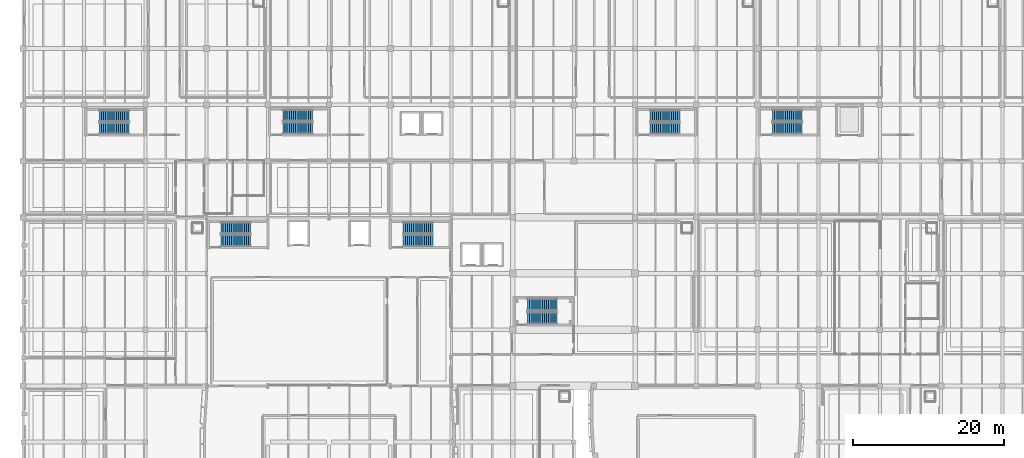
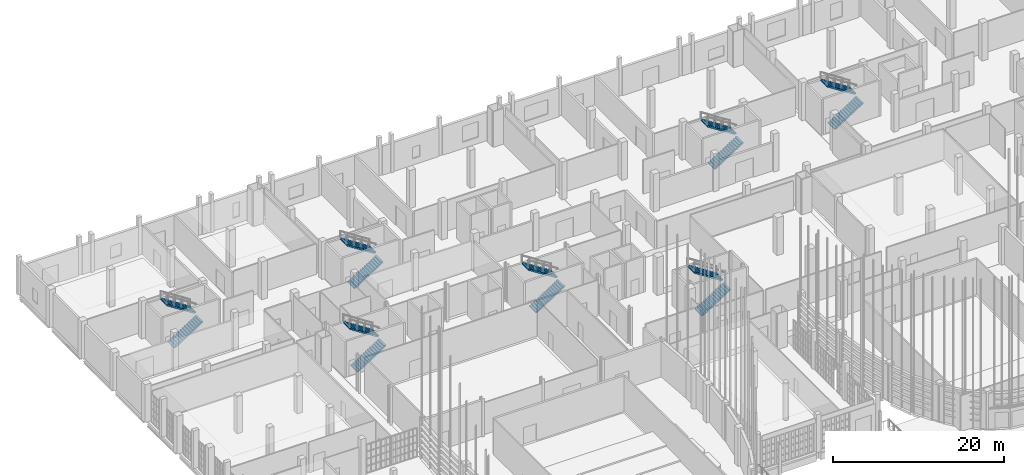
# One storey, part 360 of 372: 14 stair flights, 7 elements without a shape of their own.
"""IFC4 building model written with IfcOpenShell, lengths in metres."""

import ifcopenshell
import ifcopenshell.guid

model = None  # the IFC model being written
_history = None  # IfcOwnerHistory: only IFC2X3 demands one
_inside = {}  # id of a spatial element -> (the spatial element, [elements in it])
_under = {}  # id of a project, library or spatial element -> (it, [spatial elements below it])
_declared = {}  # id of a project -> (the project, [libraries it declares])
_typed = {}  # id of a type object -> (the type object, [elements of that type])
_made_of = {}  # id of a material, layer set ... -> (it, [elements and type objects made of it])


def new_model(schema):
    """Start an empty IFC model of exactly this schema.

    Asked for "IFC4X3", IfcOpenShell would pick the latest addendum, in which some entities
    have other attributes; the version numbers below select the first issue.
    IFC2X3 requires an IfcOwnerHistory on every rooted entity: one is made here for all.
    """
    global model, _history
    if schema == "IFC4X3":
        model = ifcopenshell.file(schema_version=(4, 3, 0, 0))
    else:
        model = ifcopenshell.file(schema=schema)
    _inside.clear()
    _under.clear()
    _declared.clear()
    _typed.clear()
    _made_of.clear()
    _history = None
    if model.schema == "IFC2X3":
        org = make("IfcOrganization", Name="unknown")
        user = make(
            "IfcPersonAndOrganization",
            ThePerson=make("IfcPerson", FamilyName="unknown"),
            TheOrganization=org,
        )
        app = make(
            "IfcApplication",
            ApplicationDeveloper=org,
            Version="unknown",
            ApplicationFullName="unknown",
            ApplicationIdentifier="unknown",
        )
        _history = make(
            "IfcOwnerHistory",
            OwningUser=user,
            OwningApplication=app,
            ChangeAction="ADDED",
            CreationDate=0,
        )
    return model


def make(cls, **values):
    """One entity of the class cls with the attributes given. An attribute that is None is left unset."""
    return model.create_entity(
        cls, **{name: value for name, value in values.items() if value is not None}
    )


def rooted(cls, **values):
    """An entity with a GlobalId (a new one), such as an element, a storey or a relation."""
    return make(cls, GlobalId=ifcopenshell.guid.new(), OwnerHistory=_history, **values)


def si_unit(unit_type, name, prefix=None):
    """IfcSIUnit, for example si_unit("LENGTHUNIT", "METRE", prefix="MILLI")."""
    return make("IfcSIUnit", UnitType=unit_type, Prefix=prefix, Name=name)


def assignment(units):
    """IfcUnitAssignment: the units of a project."""
    return None if units is None else make("IfcUnitAssignment", Units=units)


def point(xyz):
    """IfcCartesianPoint."""
    return None if xyz is None else make("IfcCartesianPoint", Coordinates=xyz)


def direction(xyz):
    """IfcDirection."""
    return None if xyz is None else make("IfcDirection", DirectionRatios=xyz)


def frame(location, z_axis=None, x_axis=None):
    """IfcAxis2Placement3D, a coordinate frame: its origin and axes. An axis left out is left unset."""
    return make(
        "IfcAxis2Placement3D",
        Location=point(location),
        Axis=direction(z_axis),
        RefDirection=direction(x_axis),
    )


def origin():
    """The frame at (0, 0, 0) with its axes left unset."""
    return frame((0.0, 0.0, 0.0))


def place(relative_to, where):
    """IfcLocalPlacement: puts the frame where relative to a parent placement (None: the world)."""
    return make(
        "IfcLocalPlacement", PlacementRelTo=relative_to, RelativePlacement=where
    )


def context(
    kind, dimensions, precision=None, world=None, true_north=None, identifier=None
):
    """IfcGeometricRepresentationContext, for example the 3D "Model" context."""
    return make(
        "IfcGeometricRepresentationContext",
        ContextIdentifier=identifier,
        ContextType=kind,
        CoordinateSpaceDimension=dimensions,
        Precision=precision,
        WorldCoordinateSystem=world,
        TrueNorth=true_north,
    )


def subcontext(parent, identifier, kind, view, scale=None):
    """IfcGeometricRepresentationSubContext, for example "Body" below "Model"."""
    return make(
        "IfcGeometricRepresentationSubContext",
        ContextIdentifier=identifier,
        ContextType=kind,
        ParentContext=parent,
        TargetScale=scale,
        TargetView=view,
    )


def project(units=None, contexts=None):
    """IfcProject with its units and contexts."""
    return rooted(
        "IfcProject",
        Name="project",
        RepresentationContexts=contexts,
        UnitsInContext=assignment(units),
    )


def spatial(cls, under=None, at=None, **own):
    """A site, building, storey or space (cls), placed at a placement, below another one or the project."""
    s = rooted(cls, ObjectPlacement=at, **own)
    if under is not None:
        _under.setdefault(under.id(), (under, []))[1].append(s)
    return s


def polyline(points):
    """IfcPolyline through the points."""
    return make("IfcPolyline", Points=[point(p) for p in points])


def outline(outer, holes=None, kind="AREA"):
    """IfcArbitraryClosedProfileDef: a profile drawn as a closed curve; with holes, ...WithVoids."""
    if holes is None:
        return make("IfcArbitraryClosedProfileDef", ProfileType=kind, OuterCurve=outer)
    return make(
        "IfcArbitraryProfileDefWithVoids",
        ProfileType=kind,
        OuterCurve=outer,
        InnerCurves=holes,
    )


def extrude(swept, where, along, depth):
    """IfcExtrudedAreaSolid: the profile swept, set in the frame where, extruded along a direction by depth."""
    return make(
        "IfcExtrudedAreaSolid",
        SweptArea=swept,
        Position=where,
        ExtrudedDirection=direction(along),
        Depth=depth,
    )


def shape(context_of_items, identifier, shape_type, items):
    """IfcShapeRepresentation: the items that make up one representation, for example the "Body"."""
    return make(
        "IfcShapeRepresentation",
        ContextOfItems=context_of_items,
        RepresentationIdentifier=identifier,
        RepresentationType=shape_type,
        Items=items,
    )


def material(Name=None, Category=None):
    """IfcMaterial."""
    return make("IfcMaterial", Name=Name, Category=Category)


def made_of(thing, what):
    """Note that an element or type object is made of a material, layer set ...; save() writes the relation."""
    if what is not None:
        _made_of.setdefault(what.id(), (what, []))[1].append(thing)
    return thing


def type_object(cls, material=None, **own):
    """A type object (cls), such as IfcWallType, which elements share."""
    return made_of(rooted(cls, **own), material)


def element(
    cls,
    number,
    at=None,
    inside=None,
    cuts=None,
    type_object=None,
    material=None,
    context=None,
    identifier="Body",
    shape_type=None,
    held_by="IfcProductDefinitionShape",
    body=None,
    shapes=None,
    **own,
):
    """One element of the class cls, such as IfcWall. Its Tag is "e" and its number.

    at: its placement. inside: the storey or other place that contains it. cuts: it is an
    opening in that element (IfcRelVoidsElement). A single representation is given by context,
    identifier, shape_type and body (its items); several are given by shapes. held_by: the class
    of the entity that holds the representations. save() writes the other relations.
    """
    e = rooted(cls, Tag="e%d" % number, ObjectPlacement=at, **own)
    if body is not None:
        shapes = [shape(context, identifier, shape_type, body)]
    if shapes is not None:
        e.Representation = make(held_by, Representations=shapes)
    if inside is not None:
        _inside.setdefault(inside.id(), (inside, []))[1].append(e)
    if cuts is not None:
        rooted(
            "IfcRelVoidsElement", RelatingBuildingElement=cuts, RelatedOpeningElement=e
        )
    if type_object is not None:
        _typed.setdefault(type_object.id(), (type_object, []))[1].append(e)
    return made_of(e, material)


def aggregate(whole, parts):
    """IfcRelAggregates: a whole, such as a stair, and the parts it consists of."""
    return rooted("IfcRelAggregates", RelatingObject=whole, RelatedObjects=parts)


def save(model, path):
    """Write the relations noted so far, then the file.

    IfcRelAggregates (storeys below a building ...), IfcRelContainedInSpatialStructure (elements
    in a storey), IfcRelDefinesByType, IfcRelAssociatesMaterial and IfcRelDeclares: one each for
    every whole, place, type object, material and project.
    """
    for whole, parts in _under.values():
        aggregate(whole, parts)
    for where, things in _inside.values():
        rooted(
            "IfcRelContainedInSpatialStructure",
            RelatedElements=things,
            RelatingStructure=where,
        )
    for kind, things in _typed.values():
        rooted("IfcRelDefinesByType", RelatedObjects=things, RelatingType=kind)
    for what, things in _made_of.values():
        rooted("IfcRelAssociatesMaterial", RelatedObjects=things, RelatingMaterial=what)
    for by, libraries in _declared.values():
        rooted("IfcRelDeclares", RelatingContext=by, RelatedDefinitions=libraries)
    model.write(path)


model = new_model("IFC4")

# Units and contexts
model_context = context("Model", 3, precision=1e-05, world=origin(), true_north=direction((0.0, 1.0)))
body_context = subcontext(model_context, "Body", "Model", "MODEL_VIEW")
ifc_project = project(units=[si_unit("LENGTHUNIT", "METRE"), si_unit("AREAUNIT", "SQUARE_METRE"), si_unit("VOLUMEUNIT", "CUBIC_METRE"), si_unit("PLANEANGLEUNIT", "RADIAN"), si_unit("MASSUNIT", "GRAM", prefix="KILO")], contexts=[model_context])

# Site, building, storey
site_placement = place(None, origin())
site = spatial("IfcSite", under=ifc_project, at=site_placement, CompositionType="ELEMENT")
building_placement = place(site_placement, origin())
building = spatial("IfcBuilding", under=site, at=building_placement, Name="Kaelora Sail Theatre", CompositionType="ELEMENT")
storey_placement = place(building_placement, origin())
storey = spatial("IfcBuildingStorey", under=building, at=storey_placement, Name="L00", CompositionType="ELEMENT", Elevation=0.0)

# Stair, stair flights
ifc_material_1 = material(Name="Concrete C40/50", Category="concrete")
stair_type_1 = type_object("IfcStairType", Name="ARC-ST-ESC150", PredefinedType="HALF_TURN_STAIR", material=ifc_material_1)
stair_1_placement = place(storey_placement, origin())
stair_1 = element("IfcStair", 1, at=stair_1_placement, inside=storey, type_object=stair_type_1, Name="L00 ST-K1", PredefinedType="HALF_TURN_STAIR")
ifc_material_2 = material(Name="Concrete C40/50", Category="concrete")
stair_flight_type_1 = type_object("IfcStairFlightType", Name="ARC-SF-150", PredefinedType="STRAIGHT", material=ifc_material_2)
stair_flight_1_placement = place(storey_placement, frame((27.7099609375, 80.22509765625, 0.0), z_axis=(0.0, 0.0, 1.0), x_axis=(1.0, 0.0, 0.0)))
stair_flight_1 = element("IfcStairFlight", 2, at=stair_flight_1_placement, type_object=stair_flight_type_1, Name="ST-K1 flight 1", NumberOfRisers=15, NumberOfTreads=14, PredefinedType="STRAIGHT", RiserHeight=0.18, TreadLength=0.28, context=body_context, shape_type="SweptSolid", body=[
    extrude(outline(polyline([(0.0, 0.0), (0.0, 0.179931640625), (0.280029296875, 0.179931640625), (0.280029296875, 0.360107421875), (0.56005859375, 0.360107421875), (0.56005859375, 0.5400390625), (0.840087890625, 0.5400390625), (0.840087890625, 0.719970703125), (1.1201171875, 0.719970703125), (1.1201171875, 0.89990234375), (1.39990234375, 0.89990234375), (1.39990234375, 1.080078125), (1.679931640625, 1.080078125), (1.679931640625, 1.260009765625), (1.9599609375, 1.260009765625), (1.9599609375, 1.43994140625), (2.239990234375, 1.43994140625), (2.239990234375, 1.6201171875), (2.52001953125, 1.6201171875), (2.52001953125, 1.800048828125), (2.800048828125, 1.800048828125), (2.800048828125, 1.97998046875), (3.080078125, 1.97998046875), (3.080078125, 2.159912109375), (3.360107421875, 2.159912109375), (3.360107421875, 2.340087890625), (3.639892578125, 2.340087890625), (3.639892578125, 2.52001953125), (3.919921875, 2.52001953125), (3.919921875, 2.699951171875), (3.919921875, 2.341796875), (0.277099609375, 0.0), (0.0, 0.0)])), frame((0.0, 0.77490234375, 0.0), z_axis=(0.0, -1.0, 0.0), x_axis=(1.0, 0.0, 0.0)), (0.0, 0.0, 1.0), 1.550048828125),
])
stair_flight_2_placement = place(storey_placement, frame((31.6298828125, 81.925048828125, 2.699951171875), z_axis=(0.0, 0.0, 1.0), x_axis=(-1.0, 0.0, 0.0)))
stair_flight_2 = element("IfcStairFlight", 3, at=stair_flight_2_placement, type_object=stair_flight_type_1, Name="ST-K1 flight 2", NumberOfRisers=15, NumberOfTreads=14, PredefinedType="STRAIGHT", RiserHeight=0.18, TreadLength=0.28, context=body_context, shape_type="SweptSolid", body=[
    extrude(outline(polyline([(0.0, 0.0), (0.0, 0.179931640625), (0.280029296875, 0.179931640625), (0.280029296875, 0.360107421875), (0.56005859375, 0.360107421875), (0.56005859375, 0.5400390625), (0.840087890625, 0.5400390625), (0.840087890625, 0.719970703125), (1.1201171875, 0.719970703125), (1.1201171875, 0.89990234375), (1.39990234375, 0.89990234375), (1.39990234375, 1.080078125), (1.679931640625, 1.080078125), (1.679931640625, 1.260009765625), (1.9599609375, 1.260009765625), (1.9599609375, 1.43994140625), (2.239990234375, 1.43994140625), (2.239990234375, 1.6201171875), (2.52001953125, 1.6201171875), (2.52001953125, 1.800048828125), (2.800048828125, 1.800048828125), (2.800048828125, 1.97998046875), (3.080078125, 1.97998046875), (3.080078125, 2.159912109375), (3.360107421875, 2.159912109375), (3.360107421875, 2.340087890625), (3.639892578125, 2.340087890625), (3.639892578125, 2.52001953125), (3.919921875, 2.52001953125), (3.919921875, 2.699951171875), (3.919921875, 2.341796875), (0.277099609375, 0.0), (0.0, 0.0)])), frame((0.0, 0.77490234375, 0.0), z_axis=(0.0, -1.0, 0.0), x_axis=(1.0, 0.0, 0.0)), (0.0, 0.0, 1.0), 1.550048828125),
])
aggregate(stair_1, [stair_flight_1, stair_flight_2])

stair_2_placement = place(storey_placement, origin())
stair_2 = element("IfcStair", 4, at=stair_2_placement, inside=storey, type_object=stair_type_1, Name="L00 ST-K5", PredefinedType="HALF_TURN_STAIR")
stair_flight_3_placement = place(storey_placement, frame((51.81005859375, 80.22509765625, 0.0), z_axis=(0.0, 0.0, 1.0), x_axis=(1.0, 0.0, 0.0)))
stair_flight_3 = element("IfcStairFlight", 5, at=stair_flight_3_placement, type_object=stair_flight_type_1, Name="ST-K5 flight 1", NumberOfRisers=15, NumberOfTreads=14, PredefinedType="STRAIGHT", RiserHeight=0.18, TreadLength=0.28, context=body_context, shape_type="SweptSolid", body=[
    extrude(outline(polyline([(0.0, 0.0), (0.0, 0.179931640625), (0.280029296875, 0.179931640625), (0.280029296875, 0.360107421875), (0.56005859375, 0.360107421875), (0.56005859375, 0.5400390625), (0.840087890625, 0.5400390625), (0.840087890625, 0.719970703125), (1.1201171875, 0.719970703125), (1.1201171875, 0.89990234375), (1.39990234375, 0.89990234375), (1.39990234375, 1.080078125), (1.679931640625, 1.080078125), (1.679931640625, 1.260009765625), (1.9599609375, 1.260009765625), (1.9599609375, 1.43994140625), (2.239990234375, 1.43994140625), (2.239990234375, 1.6201171875), (2.52001953125, 1.6201171875), (2.52001953125, 1.800048828125), (2.800048828125, 1.800048828125), (2.800048828125, 1.97998046875), (3.080078125, 1.97998046875), (3.080078125, 2.159912109375), (3.360107421875, 2.159912109375), (3.360107421875, 2.340087890625), (3.639892578125, 2.340087890625), (3.639892578125, 2.52001953125), (3.919921875, 2.52001953125), (3.919921875, 2.699951171875), (3.919921875, 2.341796875), (0.277099609375, 0.0), (0.0, 0.0)])), frame((0.0, 0.77490234375, 0.0), z_axis=(0.0, -1.0, 0.0), x_axis=(1.0, 0.0, 0.0)), (0.0, 0.0, 1.0), 1.550048828125),
])
stair_flight_4_placement = place(storey_placement, frame((55.72998046875, 81.925048828125, 2.699951171875), z_axis=(0.0, 0.0, 1.0), x_axis=(-1.0, 0.0, 0.0)))
stair_flight_4 = element("IfcStairFlight", 6, at=stair_flight_4_placement, type_object=stair_flight_type_1, Name="ST-K5 flight 2", NumberOfRisers=15, NumberOfTreads=14, PredefinedType="STRAIGHT", RiserHeight=0.18, TreadLength=0.28, context=body_context, shape_type="SweptSolid", body=[
    extrude(outline(polyline([(0.0, 0.0), (0.0, 0.179931640625), (0.280029296875, 0.179931640625), (0.280029296875, 0.360107421875), (0.56005859375, 0.360107421875), (0.56005859375, 0.5400390625), (0.840087890625, 0.5400390625), (0.840087890625, 0.719970703125), (1.1201171875, 0.719970703125), (1.1201171875, 0.89990234375), (1.39990234375, 0.89990234375), (1.39990234375, 1.080078125), (1.679931640625, 1.080078125), (1.679931640625, 1.260009765625), (1.9599609375, 1.260009765625), (1.9599609375, 1.43994140625), (2.239990234375, 1.43994140625), (2.239990234375, 1.6201171875), (2.52001953125, 1.6201171875), (2.52001953125, 1.800048828125), (2.800048828125, 1.800048828125), (2.800048828125, 1.97998046875), (3.080078125, 1.97998046875), (3.080078125, 2.159912109375), (3.360107421875, 2.159912109375), (3.360107421875, 2.340087890625), (3.639892578125, 2.340087890625), (3.639892578125, 2.52001953125), (3.919921875, 2.52001953125), (3.919921875, 2.699951171875), (3.919921875, 2.341796875), (0.277099609375, 0.0), (0.0, 0.0)])), frame((0.0, 0.77490234375, 0.0), z_axis=(0.0, -1.0, 0.0), x_axis=(1.0, 0.0, 0.0)), (0.0, 0.0, 1.0), 1.550048828125),
])
aggregate(stair_2, [stair_flight_3, stair_flight_4])

stair_3_placement = place(storey_placement, origin())
stair_3 = element("IfcStair", 7, at=stair_3_placement, inside=storey, type_object=stair_type_1, Name="L00 ST-K2", PredefinedType="HALF_TURN_STAIR")
stair_flight_5_placement = place(storey_placement, frame((35.89990234375, 95.125, 0.0), z_axis=(0.0, 0.0, 1.0), x_axis=(1.0, 0.0, 0.0)))
stair_flight_5 = element("IfcStairFlight", 8, at=stair_flight_5_placement, type_object=stair_flight_type_1, Name="ST-K2 flight 1", NumberOfRisers=15, NumberOfTreads=14, PredefinedType="STRAIGHT", RiserHeight=0.18, TreadLength=0.28, context=body_context, shape_type="SweptSolid", body=[
    extrude(outline(polyline([(0.0, 0.0), (0.0, 0.179931640625), (0.280029296875, 0.179931640625), (0.280029296875, 0.360107421875), (0.56005859375, 0.360107421875), (0.56005859375, 0.5400390625), (0.840087890625, 0.5400390625), (0.840087890625, 0.719970703125), (1.1201171875, 0.719970703125), (1.1201171875, 0.89990234375), (1.39990234375, 0.89990234375), (1.39990234375, 1.080078125), (1.679931640625, 1.080078125), (1.679931640625, 1.260009765625), (1.9599609375, 1.260009765625), (1.9599609375, 1.43994140625), (2.239990234375, 1.43994140625), (2.239990234375, 1.6201171875), (2.52001953125, 1.6201171875), (2.52001953125, 1.800048828125), (2.800048828125, 1.800048828125), (2.800048828125, 1.97998046875), (3.080078125, 1.97998046875), (3.080078125, 2.159912109375), (3.360107421875, 2.159912109375), (3.360107421875, 2.340087890625), (3.639892578125, 2.340087890625), (3.639892578125, 2.52001953125), (3.919921875, 2.52001953125), (3.919921875, 2.699951171875), (3.919921875, 2.341796875), (0.277099609375, 0.0), (0.0, 0.0)])), frame((0.0, 0.77490234375, 0.0), z_axis=(0.0, -1.0, 0.0), x_axis=(1.0, 0.0, 0.0)), (0.0, 0.0, 1.0), 1.550048828125),
])
stair_flight_6_placement = place(storey_placement, frame((39.820068359375, 96.824951171875, 2.699951171875), z_axis=(0.0, 0.0, 1.0), x_axis=(-1.0, 0.0, 0.0)))
stair_flight_6 = element("IfcStairFlight", 9, at=stair_flight_6_placement, type_object=stair_flight_type_1, Name="ST-K2 flight 2", NumberOfRisers=15, NumberOfTreads=14, PredefinedType="STRAIGHT", RiserHeight=0.18, TreadLength=0.28, context=body_context, shape_type="SweptSolid", body=[
    extrude(outline(polyline([(0.0, 0.0), (0.0, 0.179931640625), (0.280029296875, 0.179931640625), (0.280029296875, 0.360107421875), (0.56005859375, 0.360107421875), (0.56005859375, 0.5400390625), (0.840087890625, 0.5400390625), (0.840087890625, 0.719970703125), (1.1201171875, 0.719970703125), (1.1201171875, 0.89990234375), (1.39990234375, 0.89990234375), (1.39990234375, 1.080078125), (1.679931640625, 1.080078125), (1.679931640625, 1.260009765625), (1.9599609375, 1.260009765625), (1.9599609375, 1.43994140625), (2.239990234375, 1.43994140625), (2.239990234375, 1.6201171875), (2.52001953125, 1.6201171875), (2.52001953125, 1.800048828125), (2.800048828125, 1.800048828125), (2.800048828125, 1.97998046875), (3.080078125, 1.97998046875), (3.080078125, 2.159912109375), (3.360107421875, 2.159912109375), (3.360107421875, 2.340087890625), (3.639892578125, 2.340087890625), (3.639892578125, 2.52001953125), (3.919921875, 2.52001953125), (3.919921875, 2.699951171875), (3.919921875, 2.341796875), (0.277099609375, 0.0), (0.0, 0.0)])), frame((0.0, 0.77490234375, 0.0), z_axis=(0.0, -1.0, 0.0), x_axis=(1.0, 0.0, 0.0)), (0.0, 0.0, 1.0), 1.550048828125),
])
aggregate(stair_3, [stair_flight_5, stair_flight_6])

stair_4_placement = place(storey_placement, origin())
stair_4 = element("IfcStair", 10, at=stair_4_placement, inside=storey, type_object=stair_type_1, Name="L00 ST-K3", PredefinedType="HALF_TURN_STAIR")
stair_flight_7_placement = place(storey_placement, frame((84.5, 95.10009765625, 0.0), z_axis=(0.0, 0.0, 1.0), x_axis=(1.0, 0.0, 0.0)))
stair_flight_7 = element("IfcStairFlight", 11, at=stair_flight_7_placement, type_object=stair_flight_type_1, Name="ST-K3 flight 1", NumberOfRisers=15, NumberOfTreads=14, PredefinedType="STRAIGHT", RiserHeight=0.18, TreadLength=0.28, context=body_context, shape_type="SweptSolid", body=[
    extrude(outline(polyline([(0.0, 0.0), (0.0, 0.179931640625), (0.280029296875, 0.179931640625), (0.280029296875, 0.360107421875), (0.56005859375, 0.360107421875), (0.56005859375, 0.5400390625), (0.840087890625, 0.5400390625), (0.840087890625, 0.719970703125), (1.1201171875, 0.719970703125), (1.1201171875, 0.89990234375), (1.39990234375, 0.89990234375), (1.39990234375, 1.080078125), (1.679931640625, 1.080078125), (1.679931640625, 1.260009765625), (1.9599609375, 1.260009765625), (1.9599609375, 1.43994140625), (2.239990234375, 1.43994140625), (2.239990234375, 1.6201171875), (2.52001953125, 1.6201171875), (2.52001953125, 1.800048828125), (2.800048828125, 1.800048828125), (2.800048828125, 1.97998046875), (3.080078125, 1.97998046875), (3.080078125, 2.159912109375), (3.360107421875, 2.159912109375), (3.360107421875, 2.340087890625), (3.639892578125, 2.340087890625), (3.639892578125, 2.52001953125), (3.919921875, 2.52001953125), (3.919921875, 2.699951171875), (3.919921875, 2.341796875), (0.277099609375, 0.0), (0.0, 0.0)])), frame((0.0, 0.75, 0.0), z_axis=(0.0, -1.0, 0.0), x_axis=(1.0, 0.0, 0.0)), (0.0, 0.0, 1.0), 1.5),
])
stair_flight_8_placement = place(storey_placement, frame((88.419921875, 96.75, 2.699951171875), z_axis=(0.0, 0.0, 1.0), x_axis=(-1.0, 0.0, 0.0)))
stair_flight_8 = element("IfcStairFlight", 12, at=stair_flight_8_placement, type_object=stair_flight_type_1, Name="ST-K3 flight 2", NumberOfRisers=15, NumberOfTreads=14, PredefinedType="STRAIGHT", RiserHeight=0.18, TreadLength=0.28, context=body_context, shape_type="SweptSolid", body=[
    extrude(outline(polyline([(0.0, 0.0), (0.0, 0.179931640625), (0.280029296875, 0.179931640625), (0.280029296875, 0.360107421875), (0.56005859375, 0.360107421875), (0.56005859375, 0.5400390625), (0.840087890625, 0.5400390625), (0.840087890625, 0.719970703125), (1.1201171875, 0.719970703125), (1.1201171875, 0.89990234375), (1.39990234375, 0.89990234375), (1.39990234375, 1.080078125), (1.679931640625, 1.080078125), (1.679931640625, 1.260009765625), (1.9599609375, 1.260009765625), (1.9599609375, 1.43994140625), (2.239990234375, 1.43994140625), (2.239990234375, 1.6201171875), (2.52001953125, 1.6201171875), (2.52001953125, 1.800048828125), (2.800048828125, 1.800048828125), (2.800048828125, 1.97998046875), (3.080078125, 1.97998046875), (3.080078125, 2.159912109375), (3.360107421875, 2.159912109375), (3.360107421875, 2.340087890625), (3.639892578125, 2.340087890625), (3.639892578125, 2.52001953125), (3.919921875, 2.52001953125), (3.919921875, 2.699951171875), (3.919921875, 2.341796875), (0.277099609375, 0.0), (0.0, 0.0)])), frame((0.0, 0.75, 0.0), z_axis=(0.0, -1.0, 0.0), x_axis=(1.0, 0.0, 0.0)), (0.0, 0.0, 1.0), 1.5),
])
aggregate(stair_4, [stair_flight_7, stair_flight_8])

stair_5_placement = place(storey_placement, origin())
stair_5 = element("IfcStair", 13, at=stair_5_placement, inside=storey, type_object=stair_type_1, Name="L00 ST-K4", PredefinedType="HALF_TURN_STAIR")
stair_flight_9_placement = place(storey_placement, frame((100.699951171875, 95.125, 0.0), z_axis=(0.0, 0.0, 1.0), x_axis=(1.0, 0.0, 0.0)))
stair_flight_9 = element("IfcStairFlight", 14, at=stair_flight_9_placement, type_object=stair_flight_type_1, Name="ST-K4 flight 1", NumberOfRisers=15, NumberOfTreads=14, PredefinedType="STRAIGHT", RiserHeight=0.18, TreadLength=0.28, context=body_context, shape_type="SweptSolid", body=[
    extrude(outline(polyline([(0.0, 0.0), (0.0, 0.179931640625), (0.280029296875, 0.179931640625), (0.280029296875, 0.360107421875), (0.56005859375, 0.360107421875), (0.56005859375, 0.5400390625), (0.840087890625, 0.5400390625), (0.840087890625, 0.719970703125), (1.1201171875, 0.719970703125), (1.1201171875, 0.89990234375), (1.39990234375, 0.89990234375), (1.39990234375, 1.080078125), (1.679931640625, 1.080078125), (1.679931640625, 1.260009765625), (1.9599609375, 1.260009765625), (1.9599609375, 1.43994140625), (2.239990234375, 1.43994140625), (2.239990234375, 1.6201171875), (2.52001953125, 1.6201171875), (2.52001953125, 1.800048828125), (2.800048828125, 1.800048828125), (2.800048828125, 1.97998046875), (3.080078125, 1.97998046875), (3.080078125, 2.159912109375), (3.360107421875, 2.159912109375), (3.360107421875, 2.340087890625), (3.639892578125, 2.340087890625), (3.639892578125, 2.52001953125), (3.919921875, 2.52001953125), (3.919921875, 2.699951171875), (3.919921875, 2.341796875), (0.277099609375, 0.0), (0.0, 0.0)])), frame((0.0, 0.77490234375, 0.0), z_axis=(0.0, -1.0, 0.0), x_axis=(1.0, 0.0, 0.0)), (0.0, 0.0, 1.0), 1.550048828125),
])
stair_flight_10_placement = place(storey_placement, frame((104.6201171875, 96.824951171875, 2.699951171875), z_axis=(0.0, 0.0, 1.0), x_axis=(-1.0, 0.0, 0.0)))
stair_flight_10 = element("IfcStairFlight", 15, at=stair_flight_10_placement, type_object=stair_flight_type_1, Name="ST-K4 flight 2", NumberOfRisers=15, NumberOfTreads=14, PredefinedType="STRAIGHT", RiserHeight=0.18, TreadLength=0.28, context=body_context, shape_type="SweptSolid", body=[
    extrude(outline(polyline([(0.0, 0.0), (0.0, 0.179931640625), (0.280029296875, 0.179931640625), (0.280029296875, 0.360107421875), (0.56005859375, 0.360107421875), (0.56005859375, 0.5400390625), (0.840087890625, 0.5400390625), (0.840087890625, 0.719970703125), (1.1201171875, 0.719970703125), (1.1201171875, 0.89990234375), (1.39990234375, 0.89990234375), (1.39990234375, 1.080078125), (1.679931640625, 1.080078125), (1.679931640625, 1.260009765625), (1.9599609375, 1.260009765625), (1.9599609375, 1.43994140625), (2.239990234375, 1.43994140625), (2.239990234375, 1.6201171875), (2.52001953125, 1.6201171875), (2.52001953125, 1.800048828125), (2.800048828125, 1.800048828125), (2.800048828125, 1.97998046875), (3.080078125, 1.97998046875), (3.080078125, 2.159912109375), (3.360107421875, 2.159912109375), (3.360107421875, 2.340087890625), (3.639892578125, 2.340087890625), (3.639892578125, 2.52001953125), (3.919921875, 2.52001953125), (3.919921875, 2.699951171875), (3.919921875, 2.341796875), (0.277099609375, 0.0), (0.0, 0.0)])), frame((0.0, 0.77490234375, 0.0), z_axis=(0.0, -1.0, 0.0), x_axis=(1.0, 0.0, 0.0)), (0.0, 0.0, 1.0), 1.550048828125),
])
aggregate(stair_5, [stair_flight_9, stair_flight_10])

stair_6_placement = place(storey_placement, origin())
stair_6 = element("IfcStair", 16, at=stair_6_placement, inside=storey, type_object=stair_type_1, Name="L00 ST-W1", PredefinedType="HALF_TURN_STAIR")
stair_flight_11_placement = place(storey_placement, frame((11.60009765625, 95.10009765625, 0.0), z_axis=(0.0, 0.0, 1.0), x_axis=(1.0, 0.0, 0.0)))
stair_flight_11 = element("IfcStairFlight", 17, at=stair_flight_11_placement, type_object=stair_flight_type_1, Name="ST-W1 flight 1", NumberOfRisers=15, NumberOfTreads=14, PredefinedType="STRAIGHT", RiserHeight=0.18, TreadLength=0.28, context=body_context, shape_type="SweptSolid", body=[
    extrude(outline(polyline([(0.0, 0.0), (0.0, 0.179931640625), (0.280029296875, 0.179931640625), (0.280029296875, 0.360107421875), (0.56005859375, 0.360107421875), (0.56005859375, 0.5400390625), (0.840087890625, 0.5400390625), (0.840087890625, 0.719970703125), (1.1201171875, 0.719970703125), (1.1201171875, 0.89990234375), (1.39990234375, 0.89990234375), (1.39990234375, 1.080078125), (1.679931640625, 1.080078125), (1.679931640625, 1.260009765625), (1.9599609375, 1.260009765625), (1.9599609375, 1.43994140625), (2.239990234375, 1.43994140625), (2.239990234375, 1.6201171875), (2.52001953125, 1.6201171875), (2.52001953125, 1.800048828125), (2.800048828125, 1.800048828125), (2.800048828125, 1.97998046875), (3.080078125, 1.97998046875), (3.080078125, 2.159912109375), (3.360107421875, 2.159912109375), (3.360107421875, 2.340087890625), (3.639892578125, 2.340087890625), (3.639892578125, 2.52001953125), (3.919921875, 2.52001953125), (3.919921875, 2.699951171875), (3.919921875, 2.341796875), (0.277099609375, 0.0), (0.0, 0.0)])), frame((0.0, 0.75, 0.0), z_axis=(0.0, -1.0, 0.0), x_axis=(1.0, 0.0, 0.0)), (0.0, 0.0, 1.0), 1.5),
])
stair_flight_12_placement = place(storey_placement, frame((15.52001953125, 96.75, 2.699951171875), z_axis=(0.0, 0.0, 1.0), x_axis=(-1.0, 0.0, 0.0)))
stair_flight_12 = element("IfcStairFlight", 18, at=stair_flight_12_placement, type_object=stair_flight_type_1, Name="ST-W1 flight 2", NumberOfRisers=15, NumberOfTreads=14, PredefinedType="STRAIGHT", RiserHeight=0.18, TreadLength=0.28, context=body_context, shape_type="SweptSolid", body=[
    extrude(outline(polyline([(0.0, 0.0), (0.0, 0.179931640625), (0.280029296875, 0.179931640625), (0.280029296875, 0.360107421875), (0.56005859375, 0.360107421875), (0.56005859375, 0.5400390625), (0.840087890625, 0.5400390625), (0.840087890625, 0.719970703125), (1.1201171875, 0.719970703125), (1.1201171875, 0.89990234375), (1.39990234375, 0.89990234375), (1.39990234375, 1.080078125), (1.679931640625, 1.080078125), (1.679931640625, 1.260009765625), (1.9599609375, 1.260009765625), (1.9599609375, 1.43994140625), (2.239990234375, 1.43994140625), (2.239990234375, 1.6201171875), (2.52001953125, 1.6201171875), (2.52001953125, 1.800048828125), (2.800048828125, 1.800048828125), (2.800048828125, 1.97998046875), (3.080078125, 1.97998046875), (3.080078125, 2.159912109375), (3.360107421875, 2.159912109375), (3.360107421875, 2.340087890625), (3.639892578125, 2.340087890625), (3.639892578125, 2.52001953125), (3.919921875, 2.52001953125), (3.919921875, 2.699951171875), (3.919921875, 2.341796875), (0.277099609375, 0.0), (0.0, 0.0)])), frame((0.0, 0.75, 0.0), z_axis=(0.0, -1.0, 0.0), x_axis=(1.0, 0.0, 0.0)), (0.0, 0.0, 1.0), 1.5),
])
aggregate(stair_6, [stair_flight_11, stair_flight_12])

ifc_material_3 = material(Name="Precast concrete C45/55", Category="concrete")
stair_type_2 = type_object("IfcStairType", Name="ARC-ST-FOY165", PredefinedType="HALF_TURN_STAIR", material=ifc_material_3)
stair_7_placement = place(storey_placement, origin())
stair_7 = element("IfcStair", 19, at=stair_7_placement, inside=storey, type_object=stair_type_2, Name="L00 ST-F1", PredefinedType="HALF_TURN_STAIR")
ifc_material_4 = material(Name="Precast concrete C45/55", Category="concrete")
stair_flight_type_2 = type_object("IfcStairFlightType", Name="ARC-SF-165", PredefinedType="STRAIGHT", material=ifc_material_4)
stair_flight_13_placement = place(storey_placement, frame((68.27001953125, 70.0, 0.0), z_axis=(0.0, 0.0, 1.0), x_axis=(1.0, 0.0, 0.0)))
stair_flight_13 = element("IfcStairFlight", 20, at=stair_flight_13_placement, type_object=stair_flight_type_2, Name="ST-F1 flight 1", NumberOfRisers=15, NumberOfTreads=14, PredefinedType="STRAIGHT", RiserHeight=0.18, TreadLength=0.28, context=body_context, shape_type="SweptSolid", body=[
    extrude(outline(polyline([(0.0, 0.0), (0.0, 0.179931640625), (0.280029296875, 0.179931640625), (0.280029296875, 0.360107421875), (0.56005859375, 0.360107421875), (0.56005859375, 0.5400390625), (0.840087890625, 0.5400390625), (0.840087890625, 0.719970703125), (1.1201171875, 0.719970703125), (1.1201171875, 0.89990234375), (1.39990234375, 0.89990234375), (1.39990234375, 1.080078125), (1.679931640625, 1.080078125), (1.679931640625, 1.260009765625), (1.9599609375, 1.260009765625), (1.9599609375, 1.43994140625), (2.239990234375, 1.43994140625), (2.239990234375, 1.6201171875), (2.52001953125, 1.6201171875), (2.52001953125, 1.800048828125), (2.800048828125, 1.800048828125), (2.800048828125, 1.97998046875), (3.080078125, 1.97998046875), (3.080078125, 2.159912109375), (3.360107421875, 2.159912109375), (3.360107421875, 2.340087890625), (3.639892578125, 2.340087890625), (3.639892578125, 2.52001953125), (3.919921875, 2.52001953125), (3.919921875, 2.699951171875), (3.919921875, 2.341796875), (0.277099609375, 0.0), (0.0, 0.0)])), frame((0.0, 0.800048828125, 0.0), z_axis=(0.0, -1.0, 0.0), x_axis=(1.0, 0.0, 0.0)), (0.0, 0.0, 1.0), 1.60009765625),
])
stair_flight_14_placement = place(storey_placement, frame((72.18994140625, 71.75, 2.699951171875), z_axis=(0.0, 0.0, 1.0), x_axis=(-1.0, 0.0, 0.0)))
stair_flight_14 = element("IfcStairFlight", 21, at=stair_flight_14_placement, type_object=stair_flight_type_2, Name="ST-F1 flight 2", NumberOfRisers=15, NumberOfTreads=14, PredefinedType="STRAIGHT", RiserHeight=0.18, TreadLength=0.28, context=body_context, shape_type="SweptSolid", body=[
    extrude(outline(polyline([(0.0, 0.0), (0.0, 0.179931640625), (0.280029296875, 0.179931640625), (0.280029296875, 0.360107421875), (0.56005859375, 0.360107421875), (0.56005859375, 0.5400390625), (0.840087890625, 0.5400390625), (0.840087890625, 0.719970703125), (1.1201171875, 0.719970703125), (1.1201171875, 0.89990234375), (1.39990234375, 0.89990234375), (1.39990234375, 1.080078125), (1.679931640625, 1.080078125), (1.679931640625, 1.260009765625), (1.9599609375, 1.260009765625), (1.9599609375, 1.43994140625), (2.239990234375, 1.43994140625), (2.239990234375, 1.6201171875), (2.52001953125, 1.6201171875), (2.52001953125, 1.800048828125), (2.800048828125, 1.800048828125), (2.800048828125, 1.97998046875), (3.080078125, 1.97998046875), (3.080078125, 2.159912109375), (3.360107421875, 2.159912109375), (3.360107421875, 2.340087890625), (3.639892578125, 2.340087890625), (3.639892578125, 2.52001953125), (3.919921875, 2.52001953125), (3.919921875, 2.699951171875), (3.919921875, 2.341796875), (0.277099609375, 0.0), (0.0, 0.0)])), frame((0.0, 0.800048828125, 0.0), z_axis=(0.0, -1.0, 0.0), x_axis=(1.0, 0.0, 0.0)), (0.0, 0.0, 1.0), 1.60009765625),
])
aggregate(stair_7, [stair_flight_13, stair_flight_14])

save(model, "model.ifc")
